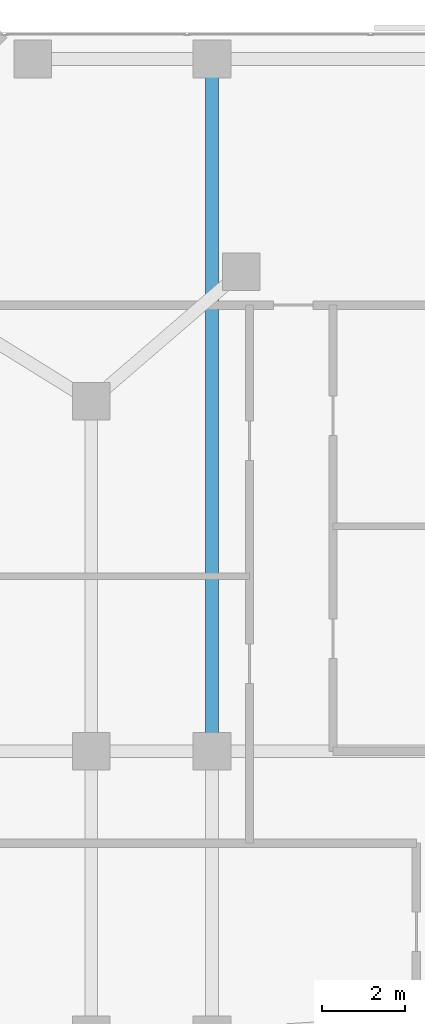
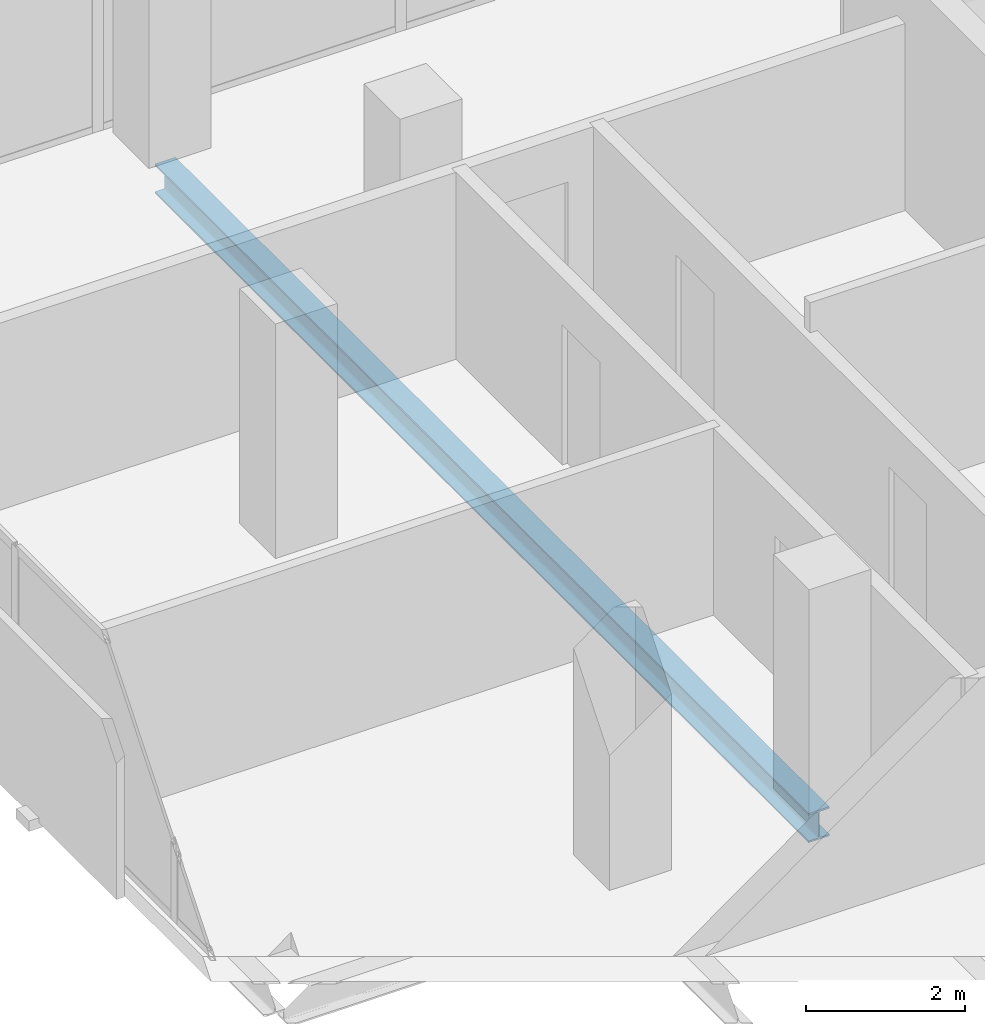
# One storey, part 18 of 33: 1 beam.
"""IFC4 building model written with IfcOpenShell, lengths in metres."""

from ifc_helpers import new_model, si_unit, direction, frame, origin, origin_2d, place, context, subcontext, project, spatial, i_section, extrude, material, material_profile, profile_set, type_object, element, save


model = new_model("IFC4")

# Units and contexts
model_context = context("Model", 3, precision=1e-05, world=origin(), true_north=direction((0.0, 1.0)))
body_context = subcontext(model_context, "Body", "Model", "MODEL_VIEW")
ifc_project = project(units=[si_unit("LENGTHUNIT", "METRE"), si_unit("AREAUNIT", "SQUARE_METRE"), si_unit("VOLUMEUNIT", "CUBIC_METRE"), si_unit("PLANEANGLEUNIT", "RADIAN"), si_unit("MASSUNIT", "GRAM", prefix="KILO")], contexts=[model_context])

# Site, building, storey
site_placement = place(None, origin())
site = spatial("IfcSite", under=ifc_project, at=site_placement, CompositionType="ELEMENT")
building_placement = place(site_placement, origin())
building = spatial("IfcBuilding", under=site, at=building_placement, Name="Catumbela Crestline Tower", CompositionType="ELEMENT")
storey_placement = place(building_placement, frame((0.0, 0.0, 108.0)))
storey = spatial("IfcBuildingStorey", under=building, at=storey_placement, Name="L27", CompositionType="ELEMENT", Elevation=108.0)

# Beam
ifc_material = material(Name="Structural steel S355J2", Category="steel")
ifc_material_profile = material_profile(ifc_material, i_section(OverallWidth=0.3, OverallDepth=0.45, WebThickness=0.014, FlangeThickness=0.026, FilletRadius=0.027, at=origin_2d()), Name="HEB 450")
ifc_profile_set = profile_set([ifc_material_profile], Name="Structural steel S355J2")
beam_type = type_object("IfcBeamType", Name="BG-HEB450", PredefinedType="BEAM", material=ifc_profile_set)
beam_placement = place(storey_placement, frame((8.5, 30.88, -0.485), z_axis=(0.0, 1.0, 0.0), x_axis=(-1.0, 0.0, 0.0)))
element("IfcBeam", 1, at=beam_placement, inside=storey, type_object=beam_type, Name="L27 Beam BM-L27-SN27", PredefinedType="BEAM", context=body_context, shape_type="SweptSolid", body=[
    extrude(i_section(OverallWidth=0.3, OverallDepth=0.45, WebThickness=0.014, FlangeThickness=0.026, FilletRadius=0.027, at=origin_2d()), origin(), (0.0, 0.0, 1.0), 16.44),
])

save(model, "model.ifc")
